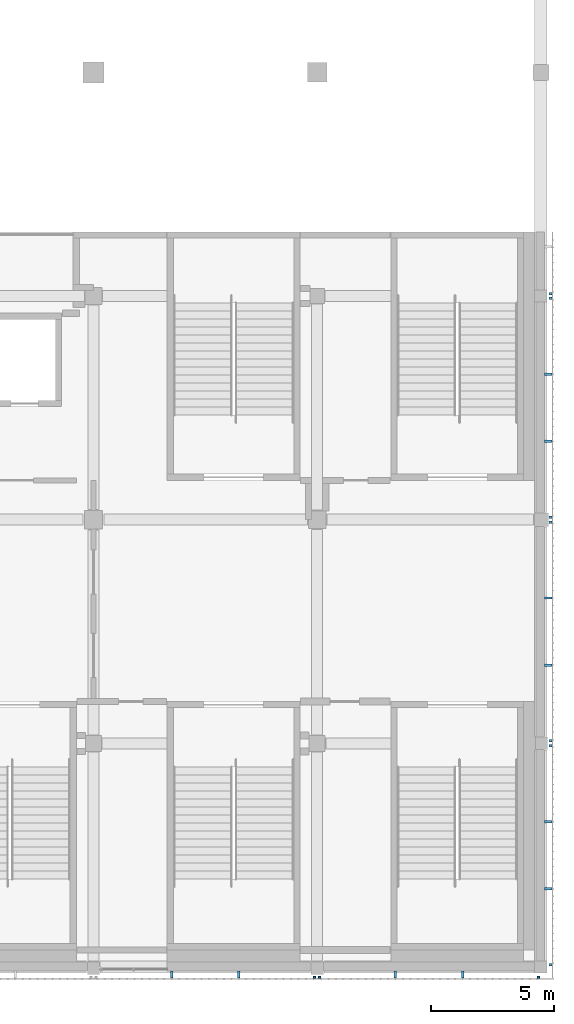
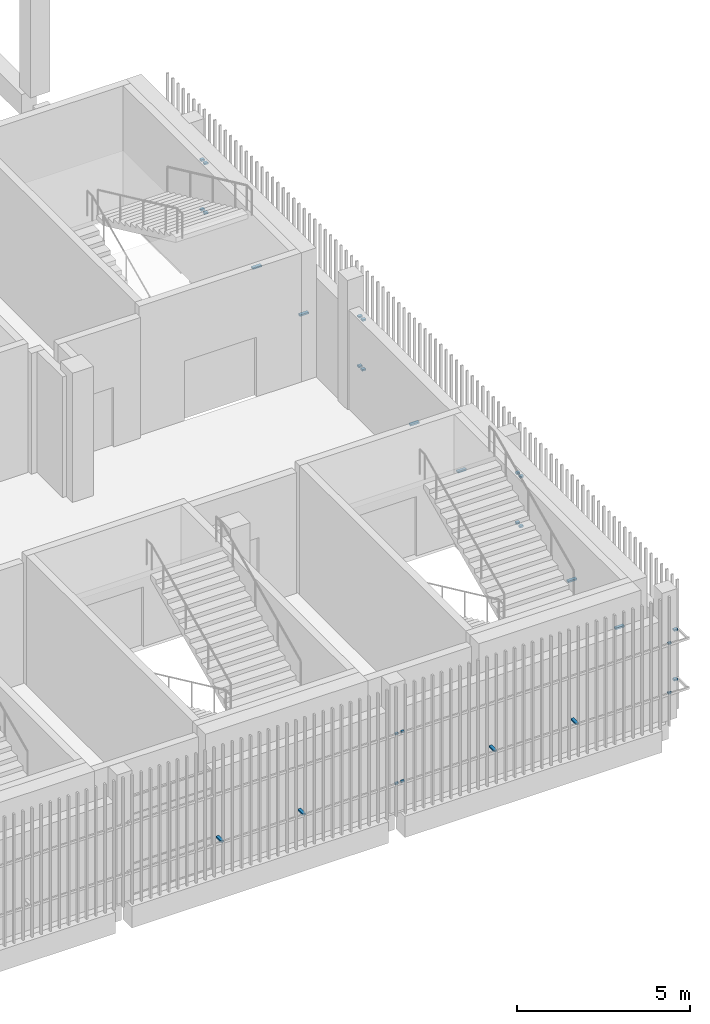
# One storey, part 84 of 104: 30 discrete accessories.
"""IFC4 building model written with IfcOpenShell, lengths in metres."""

from ifc_helpers import new_model, si_unit, direction, frame, origin, origin_2d, place, context, subcontext, project, spatial, rectangle, extrude, material, type_object, element, save


model = new_model("IFC4")

# Units and contexts
model_context = context("Model", 3, precision=1e-05, world=origin(), true_north=direction((0.0, 1.0)))
body_context = subcontext(model_context, "Body", "Model", "MODEL_VIEW")
ifc_project = project(units=[si_unit("LENGTHUNIT", "METRE"), si_unit("AREAUNIT", "SQUARE_METRE"), si_unit("VOLUMEUNIT", "CUBIC_METRE"), si_unit("PLANEANGLEUNIT", "RADIAN"), si_unit("MASSUNIT", "GRAM", prefix="KILO")], contexts=[model_context])

# Site, building, storey
site_placement = place(None, origin())
site = spatial("IfcSite", under=ifc_project, at=site_placement, CompositionType="ELEMENT")
building_placement = place(site_placement, origin())
building = spatial("IfcBuilding", under=site, at=building_placement, Name="Shirokan Park Arena", CompositionType="ELEMENT")
storey_placement = place(building_placement, frame((0.0, 0.0, 10.919921875)))
storey = spatial("IfcBuildingStorey", under=building, at=storey_placement, Name="L02", CompositionType="ELEMENT", Elevation=10.919921875)

# Discrete accessories
ifc_material = material(Name="Steel S355", Category="steel")
discrete_accessory_type = type_object("IfcDiscreteAccessoryType", Name="Veil bracket 100x60", PredefinedType="BRACKET", material=ifc_material)
for number, where, z_axis, x_axis, name in (
    (1, (136.39990234375, -0.409912109375, 1.070068359375), (0.0, 0.0, 1.0), (1.0, 0.0, 0.0), "Veil bracket south bay 15 L02 2"),
    (2, (136.39990234375, -0.409912109375, 2.820068359375), (0.0, 0.0, 1.0), (1.0, 0.0, 0.0), "Veil bracket south bay 15 L02 4"),
):
    element("IfcDiscreteAccessory", number, at=place(storey_placement, frame(where, z_axis=z_axis, x_axis=x_axis)), inside=storey, type_object=discrete_accessory_type, Name=name, PredefinedType="BRACKET", context=body_context, shape_type="SweptSolid", body=[
        extrude(rectangle(XDim=0.10009765625, YDim=0.070068359375, at=origin_2d()), origin(), (0.0, 0.0, 1.0), 0.06005859375),
    ])
for number, where, z_axis, x_axis, name in (
    (3, (130.5849609375, -0.297607421875, 1.070068359375), (0.0, 0.0, 1.0), (1.0, 0.0, 0.0), "Veil bracket south bay 15 L02 wall 1"),
    (4, (133.31494140625, -0.297607421875, 1.070068359375), (0.0, 0.0, 1.0), (1.0, 0.0, 0.0), "Veil bracket south bay 15 L02 wall 2"),
):
    element("IfcDiscreteAccessory", number, at=place(storey_placement, frame(where, z_axis=z_axis, x_axis=x_axis)), inside=storey, type_object=discrete_accessory_type, Name=name, PredefinedType="BRACKET", context=body_context, shape_type="SweptSolid", body=[
        extrude(rectangle(XDim=0.10009765625, YDim=0.294921875, at=origin_2d()), origin(), (0.0, 0.0, 1.0), 0.06005859375),
    ])
for number, where, z_axis, x_axis, name in (
    (5, (136.60009765625, -0.409912109375, 1.070068359375), (0.0, 0.0, 1.0), (1.0, 0.0, 0.0), "Veil bracket south bay 16 L02 1"),
    (6, (145.5, -0.409912109375, 1.070068359375), (0.0, 0.0, 1.0), (1.0, 0.0, 0.0), "Veil bracket south bay 16 L02 2"),
    (7, (136.60009765625, -0.409912109375, 2.820068359375), (0.0, 0.0, 1.0), (1.0, 0.0, 0.0), "Veil bracket south bay 16 L02 3"),
    (8, (145.5, -0.409912109375, 2.820068359375), (0.0, 0.0, 1.0), (1.0, 0.0, 0.0), "Veil bracket south bay 16 L02 4"),
):
    element("IfcDiscreteAccessory", number, at=place(storey_placement, frame(where, z_axis=z_axis, x_axis=x_axis)), inside=storey, type_object=discrete_accessory_type, Name=name, PredefinedType="BRACKET", context=body_context, shape_type="SweptSolid", body=[
        extrude(rectangle(XDim=0.10009765625, YDim=0.070068359375, at=origin_2d()), origin(), (0.0, 0.0, 1.0), 0.06005859375),
    ])
for number, where, z_axis, x_axis, name in (
    (9, (139.68505859375, -0.297607421875, 1.070068359375), (0.0, 0.0, 1.0), (1.0, 0.0, 0.0), "Veil bracket south bay 16 L02 wall 1"),
    (10, (142.4150390625, -0.297607421875, 1.070068359375), (0.0, 0.0, 1.0), (1.0, 0.0, 0.0), "Veil bracket south bay 16 L02 wall 2"),
):
    element("IfcDiscreteAccessory", number, at=place(storey_placement, frame(where, z_axis=z_axis, x_axis=x_axis)), inside=storey, type_object=discrete_accessory_type, Name=name, PredefinedType="BRACKET", context=body_context, shape_type="SweptSolid", body=[
        extrude(rectangle(XDim=0.10009765625, YDim=0.294921875, at=origin_2d()), origin(), (0.0, 0.0, 1.0), 0.06005859375),
    ])
for number, where, z_axis, x_axis, name in (
    (11, (145.985107421875, 0.10009765625, 1.070068359375), (0.0, 0.0, 1.0), (0.0, 1.0, 0.0), "Veil bracket east bay 1 L02 1"),
    (12, (145.985107421875, 9.0, 1.070068359375), (0.0, 0.0, 1.0), (0.0, 1.0, 0.0), "Veil bracket east bay 1 L02 2"),
    (13, (145.985107421875, 0.10009765625, 2.820068359375), (0.0, 0.0, 1.0), (0.0, 1.0, 0.0), "Veil bracket east bay 1 L02 3"),
    (14, (145.985107421875, 9.0, 2.820068359375), (0.0, 0.0, 1.0), (0.0, 1.0, 0.0), "Veil bracket east bay 1 L02 4"),
):
    element("IfcDiscreteAccessory", number, at=place(storey_placement, frame(where, z_axis=z_axis, x_axis=x_axis)), inside=storey, type_object=discrete_accessory_type, Name=name, PredefinedType="BRACKET", context=body_context, shape_type="SweptSolid", body=[
        extrude(rectangle(XDim=0.10009765625, YDim=0.1201171875, at=origin_2d()), origin(), (0.0, 0.0, 1.0), 0.06005859375),
    ])
for number, where, z_axis, x_axis, name in (
    (15, (145.8974609375, 3.18505859375, 1.070068359375), (0.0, 0.0, 1.0), (0.0, 1.0, 0.0), "Veil bracket east bay 1 L02 wall 1"),
    (16, (145.8974609375, 5.9150390625, 1.070068359375), (0.0, 0.0, 1.0), (0.0, 1.0, 0.0), "Veil bracket east bay 1 L02 wall 2"),
):
    element("IfcDiscreteAccessory", number, at=place(storey_placement, frame(where, z_axis=z_axis, x_axis=x_axis)), inside=storey, type_object=discrete_accessory_type, Name=name, PredefinedType="BRACKET", context=body_context, shape_type="SweptSolid", body=[
        extrude(rectangle(XDim=0.10009765625, YDim=0.294921875, at=origin_2d()), origin(), (0.0, 0.0, 1.0), 0.06005859375),
    ])
for number, where, z_axis, x_axis, name in (
    (17, (145.985107421875, 9.199951171875, 1.070068359375), (0.0, 0.0, 1.0), (0.0, 1.0, 0.0), "Veil bracket east bay 2 L02 1"),
    (18, (145.985107421875, 18.10009765625, 1.070068359375), (0.0, 0.0, 1.0), (0.0, 1.0, 0.0), "Veil bracket east bay 2 L02 2"),
    (19, (145.985107421875, 9.199951171875, 2.820068359375), (0.0, 0.0, 1.0), (0.0, 1.0, 0.0), "Veil bracket east bay 2 L02 3"),
    (20, (145.985107421875, 18.10009765625, 2.820068359375), (0.0, 0.0, 1.0), (0.0, 1.0, 0.0), "Veil bracket east bay 2 L02 4"),
):
    element("IfcDiscreteAccessory", number, at=place(storey_placement, frame(where, z_axis=z_axis, x_axis=x_axis)), inside=storey, type_object=discrete_accessory_type, Name=name, PredefinedType="BRACKET", context=body_context, shape_type="SweptSolid", body=[
        extrude(rectangle(XDim=0.10009765625, YDim=0.1201171875, at=origin_2d()), origin(), (0.0, 0.0, 1.0), 0.06005859375),
    ])
for number, where, z_axis, x_axis, name in (
    (21, (145.8974609375, 12.284912109375, 1.070068359375), (0.0, 0.0, 1.0), (0.0, 1.0, 0.0), "Veil bracket east bay 2 L02 wall 1"),
    (22, (145.8974609375, 15.014892578125, 1.070068359375), (0.0, 0.0, 1.0), (0.0, 1.0, 0.0), "Veil bracket east bay 2 L02 wall 2"),
):
    element("IfcDiscreteAccessory", number, at=place(storey_placement, frame(where, z_axis=z_axis, x_axis=x_axis)), inside=storey, type_object=discrete_accessory_type, Name=name, PredefinedType="BRACKET", context=body_context, shape_type="SweptSolid", body=[
        extrude(rectangle(XDim=0.10009765625, YDim=0.294921875, at=origin_2d()), origin(), (0.0, 0.0, 1.0), 0.06005859375),
    ])
for number, where, z_axis, x_axis, name in (
    (23, (145.985107421875, 18.300048828125, 1.070068359375), (0.0, 0.0, 1.0), (0.0, 1.0, 0.0), "Veil bracket east bay 3 L02 1"),
    (24, (145.985107421875, 27.199951171875, 1.070068359375), (0.0, 0.0, 1.0), (0.0, 1.0, 0.0), "Veil bracket east bay 3 L02 2"),
    (25, (145.985107421875, 18.300048828125, 2.820068359375), (0.0, 0.0, 1.0), (0.0, 1.0, 0.0), "Veil bracket east bay 3 L02 3"),
    (26, (145.985107421875, 27.199951171875, 2.820068359375), (0.0, 0.0, 1.0), (0.0, 1.0, 0.0), "Veil bracket east bay 3 L02 4"),
):
    element("IfcDiscreteAccessory", number, at=place(storey_placement, frame(where, z_axis=z_axis, x_axis=x_axis)), inside=storey, type_object=discrete_accessory_type, Name=name, PredefinedType="BRACKET", context=body_context, shape_type="SweptSolid", body=[
        extrude(rectangle(XDim=0.10009765625, YDim=0.1201171875, at=origin_2d()), origin(), (0.0, 0.0, 1.0), 0.06005859375),
    ])
for number, where, z_axis, x_axis, name in (
    (27, (145.8974609375, 21.385009765625, 1.070068359375), (0.0, 0.0, 1.0), (0.0, 1.0, 0.0), "Veil bracket east bay 3 L02 wall 1"),
    (28, (145.8974609375, 24.114990234375, 1.070068359375), (0.0, 0.0, 1.0), (0.0, 1.0, 0.0), "Veil bracket east bay 3 L02 wall 2"),
):
    element("IfcDiscreteAccessory", number, at=place(storey_placement, frame(where, z_axis=z_axis, x_axis=x_axis)), inside=storey, type_object=discrete_accessory_type, Name=name, PredefinedType="BRACKET", context=body_context, shape_type="SweptSolid", body=[
        extrude(rectangle(XDim=0.10009765625, YDim=0.294921875, at=origin_2d()), origin(), (0.0, 0.0, 1.0), 0.06005859375),
    ])
for number, where, z_axis, x_axis, name in (
    (29, (145.985107421875, 27.39990234375, 1.070068359375), (0.0, 0.0, 1.0), (0.0, 1.0, 0.0), "Veil bracket east bay 4 L02 1"),
    (30, (145.985107421875, 27.39990234375, 2.820068359375), (0.0, 0.0, 1.0), (0.0, 1.0, 0.0), "Veil bracket east bay 4 L02 3"),
):
    element("IfcDiscreteAccessory", number, at=place(storey_placement, frame(where, z_axis=z_axis, x_axis=x_axis)), inside=storey, type_object=discrete_accessory_type, Name=name, PredefinedType="BRACKET", context=body_context, shape_type="SweptSolid", body=[
        extrude(rectangle(XDim=0.10009765625, YDim=0.1201171875, at=origin_2d()), origin(), (0.0, 0.0, 1.0), 0.06005859375),
    ])

save(model, "model.ifc")
